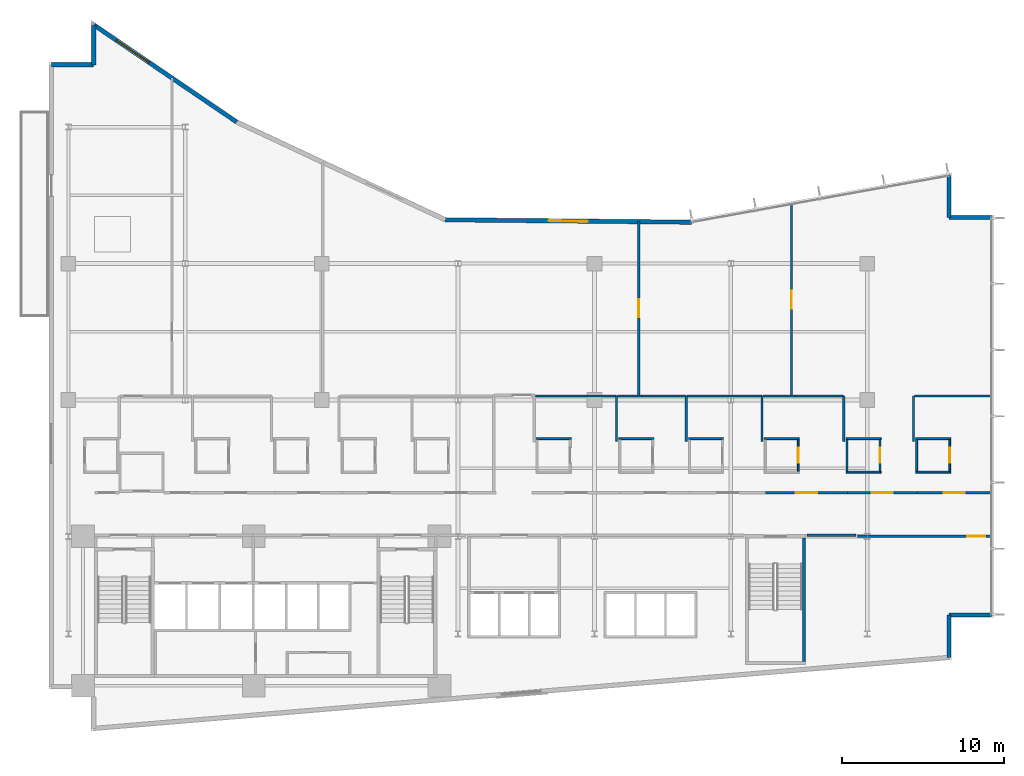
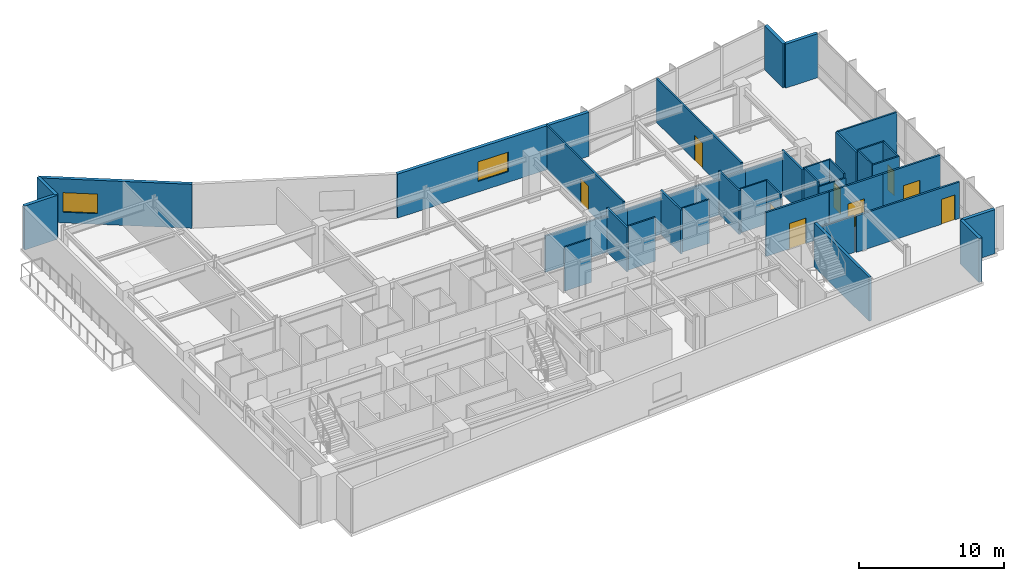
# One storey, part 15 of 21: 41 walls, 9 doors, 2 windows, 11 openings.
"""IFC4 building model written with IfcOpenShell, lengths in metres."""

from ifc_helpers import new_model, si_unit, direction, frame, frame_2d, origin, place, context, subcontext, project, spatial, rectangle, extrude, material, layer, layer_set, type_object, element, fill, save


model = new_model("IFC4")

# Units and contexts
model_context = context("Model", 3, precision=1e-05, world=origin(), true_north=direction((0.0, 1.0)))
body_context = subcontext(model_context, "Body", "Model", "MODEL_VIEW")
ifc_project = project(units=[si_unit("LENGTHUNIT", "METRE"), si_unit("AREAUNIT", "SQUARE_METRE"), si_unit("VOLUMEUNIT", "CUBIC_METRE"), si_unit("PLANEANGLEUNIT", "RADIAN"), si_unit("MASSUNIT", "GRAM", prefix="KILO")], contexts=[model_context])

# Site, building, storey
site_placement = place(None, origin())
site = spatial("IfcSite", under=ifc_project, at=site_placement, CompositionType="ELEMENT")
building_placement = place(site_placement, origin())
building = spatial("IfcBuilding", under=site, at=building_placement, Name="Varnakote Quay Hospital", CompositionType="ELEMENT")
storey_placement = place(building_placement, frame((0.0, 0.0, 42.25)))
storey = spatial("IfcBuildingStorey", under=building, at=storey_placement, Name="L10", CompositionType="ELEMENT", Elevation=42.25)

# Walls
ifc_material_1 = material(Name="Fire-rated acoustic gypsum stud wall", Category="gypsum")
ifc_layer_1 = layer(ifc_material_1, 0.159912109375)
ifc_layer_set_1 = layer_set([ifc_layer_1], Name="Fire-rated acoustic gypsum stud wall")
wall_type_1 = type_object("IfcWallType", Name="WL-COMP-160", PredefinedType="PARTITIONING", material=ifc_layer_set_1)
wall_1_placement = place(storey_placement, frame((46.689208984375, 12.080078125, 0.0), z_axis=(0.0, 0.0, 1.0), x_axis=(1.0, 0.0, 0.0)))
element("IfcWall", 1, at=wall_1_placement, inside=storey, type_object=wall_type_1, Name="L10 Corridor South Gap Wall", PredefinedType="PARTITIONING", context=body_context, shape_type="SweptSolid", body=[
    extrude(rectangle(XDim=3.0107421875, YDim=0.159912109375, at=frame_2d((1.50537109375, 0.0))), origin(), (0.0, 0.0, 1.0), 3.072998046875),
])
ifc_material_2 = material(Name="Moisture-resistant bathroom partition", Category="gypsum")
ifc_layer_2 = layer(ifc_material_2, 0.114990234375)
ifc_layer_set_2 = layer_set([ifc_layer_2], Name="Moisture-resistant bathroom partition")
wall_type_2 = type_object("IfcWallType", Name="WL-ENS-115", PredefinedType="PARTITIONING", material=ifc_layer_set_2)
wall_2_placement = place(storey_placement, frame((30.0048828125, 18.017578125, 0.0), z_axis=(0.0, 0.0, 1.0), x_axis=(1.0, 0.0, 0.0)))
element("IfcWall", 2, at=wall_2_placement, inside=storey, type_object=wall_type_2, Name="L10 Inpatient En-Suite Bathroom 06 N Wall", PredefinedType="PARTITIONING", context=body_context, shape_type="SweptSolid", body=[
    extrude(rectangle(XDim=2.150146484375, YDim=0.114990234375, at=frame_2d((1.0751953125, 0.0))), origin(), (0.0, 0.0, 1.0), 3.7099609375),
])
for number, where, z_axis, x_axis, name in (
    (3, (35.10498046875, 18.017578125, 0.0), (0.0, 0.0, 1.0), (1.0, 0.0, 0.0), "L10 Inpatient En-Suite Bathroom 07 N Wall"),
    (4, (39.39501953125, 18.017578125, 0.0), (0.0, 0.0, 1.0), (1.0, 0.0, 0.0), "L10 Inpatient En-Suite Bathroom 08 N Wall"),
):
    element("IfcWall", number, at=place(storey_placement, frame(where, z_axis=z_axis, x_axis=x_axis)), inside=storey, type_object=wall_type_2, Name=name, PredefinedType="PARTITIONING", context=body_context, shape_type="SweptSolid", body=[
        extrude(rectangle(XDim=2.14990234375, YDim=0.114990234375, at=frame_2d((1.074951171875, 0.0))), origin(), (0.0, 0.0, 1.0), 3.7099609375),
    ])
wall_3_placement = place(storey_placement, frame((44.054931640625, 18.017578125, 0.0), z_axis=(0.0, 0.0, 1.0), x_axis=(1.0, 0.0, 0.0)))
element("IfcWall", 5, at=wall_3_placement, inside=storey, type_object=wall_type_2, Name="L10 Inpatient En-Suite Bathroom 09 N Wall", PredefinedType="PARTITIONING", context=body_context, shape_type="SweptSolid", body=[
    extrude(rectangle(XDim=2.150146484375, YDim=0.114990234375, at=frame_2d((1.0751953125, 0.0))), origin(), (0.0, 0.0, 1.0), 3.7099609375),
])

# Wall, opening, door
wall_4_placement = place(storey_placement, frame((46.1474609375, 16.010009765625, 0.0), z_axis=(0.0, 0.0, 1.0), x_axis=(0.0, 1.0, 0.0)))
wall_4 = element("IfcWall", 6, at=wall_4_placement, inside=storey, type_object=wall_type_2, Name="L10 Inpatient En-Suite Bathroom 09 E Wall", PredefinedType="PARTITIONING", context=body_context, shape_type="SweptSolid", body=[
    extrude(rectangle(XDim=1.949951171875, YDim=0.114990234375, at=frame_2d((0.97509765625, 0.0))), origin(), (0.0, 0.0, 1.0), 3.7099609375),
])
opening_1_placement = place(wall_4_placement, frame((0.514892578125, 0.0, 0.0)))
opening_1 = element("IfcOpeningElement", 7, at=opening_1_placement, cuts=wall_4, Name="Opening D-L10-ENS09", PredefinedType="OPENING", context=body_context, shape_type="SweptSolid", body=[
    extrude(rectangle(XDim=0.919921875, YDim=2.10009765625, at=frame_2d((0.4599609375, 1.050048828125))), frame((0.0, 0.0673828125, 0.0), z_axis=(0.0, -1.0, 0.0), x_axis=(1.0, 0.0, 0.0)), (0.0, 0.0, 1.0), 0.135009765625),
])
ifc_material_3 = material(Name="Moisture-sealed en-suite bathroom door")
door_type_1 = type_object("IfcDoorType", Name="DR-ENS-920x2100", OperationType="NOTDEFINED", PredefinedType="DOOR", material=ifc_material_3)
door_1_placement = place(opening_1_placement, origin())
door_1 = element("IfcDoor", 8, at=door_1_placement, inside=storey, type_object=door_type_1, Name="L10 Inpatient En-Suite Bathroom 09 Door", OperationType="SINGLE_SWING_LEFT", OverallHeight=2.10009765625, OverallWidth=0.919921875, PredefinedType="DOOR", context=body_context, shape_type="SweptSolid", body=[
    extrude(rectangle(XDim=0.919921875, YDim=2.10009765625, at=frame_2d((0.4599609375, 1.050048828125))), frame((0.0, 0.02490234375, 0.0), z_axis=(0.0, -1.0, 0.0), x_axis=(1.0, 0.0, 0.0)), (0.0, 0.0, 1.0), 0.050048828125),
])
fill(opening_1, door_1)

# Walls
wall_5_placement = place(storey_placement, frame((49.094970703125, 15.952392578125, 0.0), z_axis=(0.0, 0.0, 1.0), x_axis=(1.0, 0.0, 0.0)))
element("IfcWall", 9, at=wall_5_placement, inside=storey, type_object=wall_type_2, Name="L10 Inpatient En-Suite Bathroom 10 S Wall", PredefinedType="PARTITIONING", context=body_context, shape_type="SweptSolid", body=[
    extrude(rectangle(XDim=2.150146484375, YDim=0.114990234375, at=frame_2d((1.0751953125, 0.0))), origin(), (0.0, 0.0, 1.0), 3.381103515625),
])
wall_6_placement = place(storey_placement, frame((49.094970703125, 18.017578125, 0.0), z_axis=(0.0, 0.0, 1.0), x_axis=(1.0, 0.0, 0.0)))
element("IfcWall", 10, at=wall_6_placement, inside=storey, type_object=wall_type_2, Name="L10 Inpatient En-Suite Bathroom 10 N Wall", PredefinedType="PARTITIONING", context=body_context, shape_type="SweptSolid", body=[
    extrude(rectangle(XDim=2.150146484375, YDim=0.114990234375, at=frame_2d((1.0751953125, 0.0))), origin(), (0.0, 0.0, 1.0), 3.7099609375),
])
wall_7_placement = place(storey_placement, frame((49.152587890625, 16.010009765625, 0.0), z_axis=(0.0, 0.0, 1.0), x_axis=(0.0, 1.0, 0.0)))
element("IfcWall", 11, at=wall_7_placement, inside=storey, type_object=wall_type_2, Name="L10 Inpatient En-Suite Bathroom 10 W Wall", PredefinedType="PARTITIONING", context=body_context, shape_type="SweptSolid", body=[
    extrude(rectangle(XDim=1.949951171875, YDim=0.114990234375, at=frame_2d((0.97509765625, 0.0))), origin(), (0.0, 0.0, 1.0), 3.7099609375),
])

# Wall, opening, door
wall_8_placement = place(storey_placement, frame((51.1875, 16.010009765625, 0.0), z_axis=(0.0, 0.0, 1.0), x_axis=(0.0, 1.0, 0.0)))
wall_8 = element("IfcWall", 12, at=wall_8_placement, inside=storey, type_object=wall_type_2, Name="L10 Inpatient En-Suite Bathroom 10 E Wall", PredefinedType="PARTITIONING", context=body_context, shape_type="SweptSolid", body=[
    extrude(rectangle(XDim=1.949951171875, YDim=0.114990234375, at=frame_2d((0.97509765625, 0.0))), origin(), (0.0, 0.0, 1.0), 3.7099609375),
])
opening_2_placement = place(wall_8_placement, frame((0.514892578125, 0.0, 0.0)))
opening_2 = element("IfcOpeningElement", 13, at=opening_2_placement, cuts=wall_8, Name="Opening D-L10-ENS10", PredefinedType="OPENING", context=body_context, shape_type="SweptSolid", body=[
    extrude(rectangle(XDim=0.919921875, YDim=2.10009765625, at=frame_2d((0.4599609375, 1.050048828125))), frame((0.0, 0.0673828125, 0.0), z_axis=(0.0, -1.0, 0.0), x_axis=(1.0, 0.0, 0.0)), (0.0, 0.0, 1.0), 0.135009765625),
])
door_2_placement = place(opening_2_placement, origin())
door_2 = element("IfcDoor", 14, at=door_2_placement, inside=storey, type_object=door_type_1, Name="L10 Inpatient En-Suite Bathroom 10 Door", OperationType="SINGLE_SWING_RIGHT", OverallHeight=2.10009765625, OverallWidth=0.919921875, PredefinedType="DOOR", context=body_context, shape_type="SweptSolid", body=[
    extrude(rectangle(XDim=0.919921875, YDim=2.10009765625, at=frame_2d((0.4599609375, 1.050048828125))), frame((0.0, 0.02490234375, 0.0), z_axis=(0.0, -1.0, 0.0), x_axis=(1.0, 0.0, 0.0)), (0.0, 0.0, 1.0), 0.050048828125),
])
fill(opening_2, door_2)

# Walls
for number, where, z_axis, x_axis, name in (
    (15, (53.385009765625, 15.952392578125, 0.0), (0.0, 0.0, 1.0), (1.0, 0.0, 0.0), "L10 Inpatient En-Suite Bathroom 11 S Wall"),
    (16, (53.385009765625, 18.017578125, 0.0), (0.0, 0.0, 1.0), (1.0, 0.0, 0.0), "L10 Inpatient En-Suite Bathroom 11 N Wall"),
):
    element("IfcWall", number, at=place(storey_placement, frame(where, z_axis=z_axis, x_axis=x_axis)), inside=storey, type_object=wall_type_2, Name=name, PredefinedType="PARTITIONING", context=body_context, shape_type="SweptSolid", body=[
        extrude(rectangle(XDim=2.14990234375, YDim=0.114990234375, at=frame_2d((1.074951171875, 0.0))), origin(), (0.0, 0.0, 1.0), 3.7099609375),
    ])
wall_9_placement = place(storey_placement, frame((53.4423828125, 16.010009765625, 0.0), z_axis=(0.0, 0.0, 1.0), x_axis=(0.0, 1.0, 0.0)))
element("IfcWall", 17, at=wall_9_placement, inside=storey, type_object=wall_type_2, Name="L10 Inpatient En-Suite Bathroom 11 W Wall", PredefinedType="PARTITIONING", context=body_context, shape_type="SweptSolid", body=[
    extrude(rectangle(XDim=1.949951171875, YDim=0.114990234375, at=frame_2d((0.97509765625, 0.0))), origin(), (0.0, 0.0, 1.0), 3.7099609375),
])

# Wall, opening, door
wall_10_placement = place(storey_placement, frame((55.4775390625, 16.010009765625, 0.0), z_axis=(0.0, 0.0, 1.0), x_axis=(0.0, 1.0, 0.0)))
wall_10 = element("IfcWall", 18, at=wall_10_placement, inside=storey, type_object=wall_type_2, Name="L10 Inpatient En-Suite Bathroom 11 E Wall", PredefinedType="PARTITIONING", context=body_context, shape_type="SweptSolid", body=[
    extrude(rectangle(XDim=1.949951171875, YDim=0.114990234375, at=frame_2d((0.97509765625, 0.0))), origin(), (0.0, 0.0, 1.0), 3.7099609375),
])
opening_3_placement = place(wall_10_placement, frame((0.514892578125, 0.0, 0.0)))
opening_3 = element("IfcOpeningElement", 19, at=opening_3_placement, cuts=wall_10, Name="Opening D-L10-ENS11", PredefinedType="OPENING", context=body_context, shape_type="SweptSolid", body=[
    extrude(rectangle(XDim=0.919921875, YDim=2.10009765625, at=frame_2d((0.4599609375, 1.050048828125))), frame((0.0, 0.0673828125, 0.0), z_axis=(0.0, -1.0, 0.0), x_axis=(1.0, 0.0, 0.0)), (0.0, 0.0, 1.0), 0.135009765625),
])
door_3_placement = place(opening_3_placement, origin())
door_3 = element("IfcDoor", 20, at=door_3_placement, inside=storey, type_object=door_type_1, Name="L10 Inpatient En-Suite Bathroom 11 Door", OperationType="SINGLE_SWING_LEFT", OverallHeight=2.10009765625, OverallWidth=0.919921875, PredefinedType="DOOR", context=body_context, shape_type="SweptSolid", body=[
    extrude(rectangle(XDim=0.919921875, YDim=2.10009765625, at=frame_2d((0.4599609375, 1.050048828125))), frame((0.0, 0.02490234375, 0.0), z_axis=(0.0, -1.0, 0.0), x_axis=(1.0, 0.0, 0.0)), (0.0, 0.0, 1.0), 0.050048828125),
])
fill(opening_3, door_3)

# Walls
ifc_material_4 = material(Name="Precast concrete N50 (f'c 50 MPa)", Category="concrete")
ifc_layer_3 = layer(ifc_material_4, 0.260009765625)
ifc_layer_set_3 = layer_set([ifc_layer_3], Name="Precast concrete N50 (f'c 50 MPa)")
wall_type_3 = type_object("IfcWallType", Name="WL-EXT-BRICK-260", PredefinedType="STANDARD", material=ifc_layer_set_3)
wall_11_placement = place(storey_placement, frame((55.43994140625, 4.54736328125, 0.0), z_axis=(0.0, 0.0, 1.0), x_axis=(0.0, 1.0, 0.0)))
element("IfcWall", 21, at=wall_11_placement, inside=storey, type_object=wall_type_3, Name="L10 Brick-Faced Precast Exterior Wall", PredefinedType="STANDARD", context=body_context, shape_type="SweptSolid", body=[
    extrude(rectangle(XDim=2.612548828125, YDim=0.260009765625, at=frame_2d((1.30615234375, 0.0))), origin(), (0.0, 0.0, 1.0), 3.7099609375),
])
for number, where, z_axis, x_axis, name in (
    (22, (55.43994140625, 7.159912109375, 0.0), (0.0, 0.0, 1.0), (1.0, 0.0, 0.0), "L10 Brick-Faced Precast Exterior Wall"),
    (23, (58.0400390625, 31.639892578125, 0.0), (0.0, 0.0, 1.0), (-1.0, 0.0, 0.0), "L10 Brick-Faced Precast Exterior Wall"),
):
    element("IfcWall", number, at=place(storey_placement, frame(where, z_axis=z_axis, x_axis=x_axis)), inside=storey, type_object=wall_type_3, Name=name, PredefinedType="STANDARD", context=body_context, shape_type="SweptSolid", body=[
        extrude(rectangle(XDim=2.60009765625, YDim=0.260009765625, at=frame_2d((1.300048828125, 0.0))), origin(), (0.0, 0.0, 1.0), 3.7099609375),
    ])
wall_12_placement = place(storey_placement, frame((55.43994140625, 31.639892578125, 0.0), z_axis=(0.0, 0.0, 1.0), x_axis=(0.0, 1.0, 0.0)))
element("IfcWall", 24, at=wall_12_placement, inside=storey, type_object=wall_type_3, Name="L10 Brick-Faced Precast Exterior Wall", PredefinedType="STANDARD", context=body_context, shape_type="SweptSolid", body=[
    extrude(rectangle(XDim=2.568603515625, YDim=0.260009765625, at=frame_2d((1.2841796875, 0.0))), origin(), (0.0, 0.0, 1.0), 3.7099609375),
])

# Wall, opening, window
wall_13_placement = place(storey_placement, frame((39.589599609375, 31.343994140625, 0.0), z_axis=(0.0, 0.0, 1.0), x_axis=(-0.999952362926, 0.009760731435, 0.0)))
wall_13 = element("IfcWall", 25, at=wall_13_placement, inside=storey, type_object=wall_type_3, Name="L10 Brick-Faced Precast Exterior Wall", PredefinedType="STANDARD", context=body_context, shape_type="SweptSolid", body=[
    extrude(rectangle(XDim=15.1826171875, YDim=0.260009765625, at=frame_2d((7.59130859375, 0.0))), origin(), (0.0, 0.0, 1.0), 3.7099609375),
])
opening_4_placement = place(wall_13_placement, frame((6.391357421875, 0.0, 0.89990234375)))
opening_4 = element("IfcOpeningElement", 26, at=opening_4_placement, cuts=wall_13, Name="Opening WN-0055", PredefinedType="OPENING", context=body_context, shape_type="SweptSolid", body=[
    extrude(rectangle(XDim=2.39990234375, YDim=1.64990234375, at=frame_2d((1.199951171875, 0.824951171875))), frame((0.0, 0.139892578125, 0.0), z_axis=(0.0, -1.0, 0.0), x_axis=(1.0, 0.0, 0.0)), (0.0, 0.0, 1.0), 0.280029296875),
])
ifc_material_5 = material(Name="Double-glazed low-E solar glass", Category="glass")
window_type = type_object("IfcWindowType", Name="WIN-CLIN-2400x1650", PartitioningType="SINGLE_PANEL", PredefinedType="WINDOW", material=ifc_material_5)
window_1_placement = place(opening_4_placement, origin())
window_1 = element("IfcWindow", 27, at=window_1_placement, inside=storey, type_object=window_type, Name="L10 Solar-Control Clinical Window", OverallHeight=1.64990234375, OverallWidth=2.39990234375, PartitioningType="SINGLE_PANEL", PredefinedType="WINDOW", context=body_context, shape_type="SweptSolid", body=[
    extrude(rectangle(XDim=2.39990234375, YDim=1.64990234375, at=frame_2d((1.199951171875, 0.824951171875))), frame((0.0, 0.030029296875, 0.0), z_axis=(0.0, -1.0, 0.0), x_axis=(1.0, 0.0, 0.0)), (0.0, 0.0, 1.0), 0.06005859375),
])
fill(opening_4, window_1)

wall_14_placement = place(storey_placement, frame((11.560546875, 37.5166015625, 0.0), z_axis=(0.0, 0.0, 1.0), x_axis=(-0.827064743936, 0.562106670782, 0.0)))
wall_14 = element("IfcWall", 28, at=wall_14_placement, inside=storey, type_object=wall_type_3, Name="L10 Brick-Faced Precast Exterior Wall", PredefinedType="STANDARD", context=body_context, shape_type="SweptSolid", body=[
    extrude(rectangle(XDim=10.640625, YDim=0.260009765625, at=frame_2d((5.3203125, 0.0))), origin(), (0.0, 0.0, 1.0), 3.7099609375),
])
opening_5_placement = place(wall_14_placement, frame((6.536865234375, 0.0, 0.89990234375)))
opening_5 = element("IfcOpeningElement", 29, at=opening_5_placement, cuts=wall_14, Name="Opening WN-0057", PredefinedType="OPENING", context=body_context, shape_type="SweptSolid", body=[
    extrude(rectangle(XDim=2.39990234375, YDim=1.64990234375, at=frame_2d((1.199951171875, 0.824951171875))), frame((0.0, 0.139892578125, 0.0), z_axis=(0.0, -1.0, 0.0), x_axis=(1.0, 0.0, 0.0)), (0.0, 0.0, 1.0), 0.280029296875),
])
window_2_placement = place(opening_5_placement, origin())
window_2 = element("IfcWindow", 30, at=window_2_placement, inside=storey, type_object=window_type, Name="L10 Solar-Control Clinical Window", OverallHeight=1.64990234375, OverallWidth=2.39990234375, PartitioningType="SINGLE_PANEL", PredefinedType="WINDOW", context=body_context, shape_type="SweptSolid", body=[
    extrude(rectangle(XDim=2.39990234375, YDim=1.64990234375, at=frame_2d((1.199951171875, 0.824951171875))), frame((0.0, 0.030029296875, 0.0), z_axis=(0.0, -1.0, 0.0), x_axis=(1.0, 0.0, 0.0)), (0.0, 0.0, 1.0), 0.06005859375),
])
fill(opening_5, window_2)

# Walls
wall_15_placement = place(storey_placement, frame((2.760009765625, 43.497802734375, 0.0), z_axis=(0.0, 0.0, 1.0), x_axis=(0.0, -1.0, 0.0)))
element("IfcWall", 31, at=wall_15_placement, inside=storey, type_object=wall_type_3, Name="L10 Brick-Faced Precast Exterior Wall", PredefinedType="STANDARD", context=body_context, shape_type="SweptSolid", body=[
    extrude(rectangle(XDim=2.457763671875, YDim=0.260009765625, at=frame_2d((1.22900390625, 0.0))), origin(), (0.0, 0.0, 1.0), 3.7099609375),
])
wall_16_placement = place(storey_placement, frame((2.760009765625, 41.0400390625, 0.0), z_axis=(0.0, 0.0, 1.0), x_axis=(-1.0, 0.0, 0.0)))
element("IfcWall", 32, at=wall_16_placement, inside=storey, type_object=wall_type_3, Name="L10 Brick-Faced Precast Exterior Wall", PredefinedType="STANDARD", context=body_context, shape_type="SweptSolid", body=[
    extrude(rectangle(XDim=2.60009765625, YDim=0.260009765625, at=frame_2d((1.300048828125, 0.0))), origin(), (0.0, 0.0, 1.0), 3.7099609375),
])
ifc_material_6 = material(Name="Concrete N50 (f'c 50 MPa)", Category="concrete")
ifc_layer_4 = layer(ifc_material_6, 0.199951171875)
ifc_layer_set_4 = layer_set([ifc_layer_4], Name="Concrete N50 (f'c 50 MPa)")
wall_type_4 = type_object("IfcWallType", Name="WL-SHAFT-N50-200", PredefinedType="SHEAR", material=ifc_layer_set_4)
wall_17_placement = place(storey_placement, frame((46.5, 4.300048828125, 0.0), z_axis=(0.0, 0.0, 1.0), x_axis=(0.0, 1.0, 0.0)))
element("IfcWall", 33, at=wall_17_placement, inside=storey, type_object=wall_type_4, Name="L10 Stair ST3 East Shaft Wall", PredefinedType="SHEAR", context=body_context, shape_type="SweptSolid", body=[
    extrude(rectangle(XDim=7.599853515625, YDim=0.199951171875, at=frame_2d((3.7998046875, 0.0))), origin(), (0.0, 0.0, 1.0), 3.7099609375),
])
ifc_material_7 = material(Name="Smoke-proof clinical partition", Category="gypsum")
ifc_layer_5 = layer(ifc_material_7, 0.135009765625)
ifc_layer_set_5 = layer_set([ifc_layer_5], Name="Smoke-proof clinical partition")
wall_type_5 = type_object("IfcWallType", Name="WL-SMOKE-135", PredefinedType="PARTITIONING", material=ifc_layer_set_5)
wall_18_placement = place(storey_placement, frame((34.9599609375, 17.83251953125, 0.0), z_axis=(0.0, 0.0, 1.0), x_axis=(0.0, 1.0, 0.0)))
element("IfcWall", 34, at=wall_18_placement, inside=storey, type_object=wall_type_5, Name="L10 Clinical Interior Partition", PredefinedType="PARTITIONING", context=body_context, shape_type="SweptSolid", body=[
    extrude(rectangle(XDim=2.807373046875, YDim=0.135009765625, at=frame_2d((1.40380859375, 0.0))), origin(), (0.0, 0.0, 1.0), 3.7099609375),
])
wall_19_placement = place(storey_placement, frame((34.9599609375, 20.639892578125, 0.0), z_axis=(0.0, 0.0, 1.0), x_axis=(-1.0, 0.0, 0.0)))
element("IfcWall", 35, at=wall_19_placement, inside=storey, type_object=wall_type_5, Name="L10 Clinical Interior Partition", PredefinedType="PARTITIONING", context=body_context, shape_type="SweptSolid", body=[
    extrude(rectangle(XDim=4.994873046875, YDim=0.135009765625, at=frame_2d((2.49755859375, 0.0))), origin(), (0.0, 0.0, 1.0), 3.072998046875),
])
wall_20_placement = place(storey_placement, frame((39.25, 17.83251953125, 0.0), z_axis=(0.0, 0.0, 1.0), x_axis=(0.0, 1.0, 0.0)))
element("IfcWall", 36, at=wall_20_placement, inside=storey, type_object=wall_type_5, Name="L10 Clinical Interior Partition", PredefinedType="PARTITIONING", context=body_context, shape_type="SweptSolid", body=[
    extrude(rectangle(XDim=2.807373046875, YDim=0.135009765625, at=frame_2d((1.40380859375, 0.0))), origin(), (0.0, 0.0, 1.0), 3.7099609375),
])
wall_21_placement = place(storey_placement, frame((36.527587890625, 20.639892578125, 0.0), z_axis=(0.0, 0.0, 1.0), x_axis=(-1.0, 0.0, 0.0)))
element("IfcWall", 37, at=wall_21_placement, inside=storey, type_object=wall_type_5, Name="L10 Clinical Interior Partition", PredefinedType="PARTITIONING", context=body_context, shape_type="SweptSolid", body=[
    extrude(rectangle(XDim=1.510009765625, YDim=0.135009765625, at=frame_2d((0.7548828125, 0.0))), origin(), (0.0, 0.0, 1.0), 3.072998046875),
])
wall_22_placement = place(storey_placement, frame((39.25, 20.639892578125, 0.0), z_axis=(0.0, 0.0, 1.0), x_axis=(-1.0, 0.0, 0.0)))
element("IfcWall", 38, at=wall_22_placement, inside=storey, type_object=wall_type_5, Name="L10 Clinical Interior Partition", PredefinedType="PARTITIONING", context=body_context, shape_type="SweptSolid", body=[
    extrude(rectangle(XDim=2.720458984375, YDim=0.135009765625, at=frame_2d((1.3603515625, 0.0))), origin(), (0.0, 0.0, 1.0), 3.072998046875),
])
wall_23_placement = place(storey_placement, frame((43.909912109375, 17.83251953125, 0.0), z_axis=(0.0, 0.0, 1.0), x_axis=(0.0, 1.0, 0.0)))
element("IfcWall", 39, at=wall_23_placement, inside=storey, type_object=wall_type_5, Name="L10 Clinical Interior Partition", PredefinedType="PARTITIONING", context=body_context, shape_type="SweptSolid", body=[
    extrude(rectangle(XDim=2.807373046875, YDim=0.135009765625, at=frame_2d((1.40380859375, 0.0))), origin(), (0.0, 0.0, 1.0), 3.7099609375),
])
wall_24_placement = place(storey_placement, frame((43.909912109375, 20.639892578125, 0.0), z_axis=(0.0, 0.0, 1.0), x_axis=(-1.0, 0.0, 0.0)))
element("IfcWall", 40, at=wall_24_placement, inside=storey, type_object=wall_type_5, Name="L10 Clinical Interior Partition", PredefinedType="PARTITIONING", context=body_context, shape_type="SweptSolid", body=[
    extrude(rectangle(XDim=4.602294921875, YDim=0.135009765625, at=frame_2d((2.30126953125, 0.0))), origin(), (0.0, 0.0, 1.0), 3.072998046875),
])
wall_25_placement = place(storey_placement, frame((48.949951171875, 17.83251953125, 0.0), z_axis=(0.0, 0.0, 1.0), x_axis=(0.0, 1.0, 0.0)))
element("IfcWall", 41, at=wall_25_placement, inside=storey, type_object=wall_type_5, Name="L10 Clinical Interior Partition", PredefinedType="PARTITIONING", context=body_context, shape_type="SweptSolid", body=[
    extrude(rectangle(XDim=2.807373046875, YDim=0.135009765625, at=frame_2d((1.40380859375, 0.0))), origin(), (0.0, 0.0, 1.0), 3.7099609375),
])
wall_26_placement = place(storey_placement, frame((45.9375, 20.639892578125, 0.0), z_axis=(0.0, 0.0, 1.0), x_axis=(-1.0, 0.0, 0.0)))
element("IfcWall", 42, at=wall_26_placement, inside=storey, type_object=wall_type_5, Name="L10 Clinical Interior Partition", PredefinedType="PARTITIONING", context=body_context, shape_type="SweptSolid", body=[
    extrude(rectangle(XDim=1.969970703125, YDim=0.135009765625, at=frame_2d((0.98486328125, 0.0))), origin(), (0.0, 0.0, 1.0), 3.072998046875),
])
wall_27_placement = place(storey_placement, frame((48.949951171875, 20.639892578125, 0.0), z_axis=(0.0, 0.0, 1.0), x_axis=(-1.0, 0.0, 0.0)))
element("IfcWall", 43, at=wall_27_placement, inside=storey, type_object=wall_type_5, Name="L10 Clinical Interior Partition", PredefinedType="PARTITIONING", context=body_context, shape_type="SweptSolid", body=[
    extrude(rectangle(XDim=3.010498046875, YDim=0.135009765625, at=frame_2d((1.50537109375, 0.0))), origin(), (0.0, 0.0, 1.0), 3.072998046875),
])
wall_28_placement = place(storey_placement, frame((53.239990234375, 17.83251953125, 0.0), z_axis=(0.0, 0.0, 1.0), x_axis=(0.0, 1.0, 0.0)))
element("IfcWall", 44, at=wall_28_placement, inside=storey, type_object=wall_type_5, Name="L10 Clinical Interior Partition", PredefinedType="PARTITIONING", context=body_context, shape_type="SweptSolid", body=[
    extrude(rectangle(XDim=2.807373046875, YDim=0.135009765625, at=frame_2d((1.40380859375, 0.0))), origin(), (0.0, 0.0, 1.0), 3.7099609375),
])
wall_29_placement = place(storey_placement, frame((58.0400390625, 20.639892578125, 0.0), z_axis=(0.0, 0.0, 1.0), x_axis=(-1.0, 0.0, 0.0)))
element("IfcWall", 45, at=wall_29_placement, inside=storey, type_object=wall_type_5, Name="L10 Clinical Interior Partition", PredefinedType="PARTITIONING", context=body_context, shape_type="SweptSolid", body=[
    extrude(rectangle(XDim=4.742431640625, YDim=0.135009765625, at=frame_2d((2.37109375, 0.0))), origin(), (0.0, 0.0, 1.0), 3.7099609375),
])

# Wall, opening, door
wall_30_placement = place(storey_placement, frame((36.320068359375, 20.697509765625, 0.0), z_axis=(0.0, 0.0, 1.0), x_axis=(0.0, 1.0, 0.0)))
wall_30 = element("IfcWall", 46, at=wall_30_placement, inside=storey, type_object=wall_type_5, Name="L10 Clinical Interior Partition", PredefinedType="PARTITIONING", context=body_context, shape_type="SweptSolid", body=[
    extrude(rectangle(XDim=10.67822265625, YDim=0.135009765625, at=frame_2d((5.339111328125, 0.0))), origin(), (0.0, 0.0, 1.0), 3.7099609375),
])
opening_6_placement = place(wall_30_placement, frame((4.789306640625, 0.0, 0.0)))
opening_6 = element("IfcOpeningElement", 47, at=opening_6_placement, cuts=wall_30, Name="Opening D-L10-MD03", PredefinedType="OPENING", context=body_context, shape_type="SweptSolid", body=[
    extrude(rectangle(XDim=1.10009765625, YDim=2.10009765625, at=frame_2d((0.550048828125, 1.050048828125))), frame((0.0, 0.077392578125, 0.0), z_axis=(0.0, -1.0, 0.0), x_axis=(1.0, 0.0, 0.0)), (0.0, 0.0, 1.0), 0.155029296875),
])
ifc_material_8 = material(Name="Acoustic timber clinical consult door", Category="wood")
door_type_2 = type_object("IfcDoorType", Name="DR-CLIN-FD30S-1100x2100", OperationType="NOTDEFINED", PredefinedType="DOOR", material=ifc_material_8)
door_4_placement = place(opening_6_placement, origin())
door_4 = element("IfcDoor", 48, at=door_4_placement, inside=storey, type_object=door_type_2, Name="L10 Acute Sub-Intensive Treatment Suite Door", OperationType="SINGLE_SWING_RIGHT", OverallHeight=2.10009765625, OverallWidth=1.10009765625, PredefinedType="DOOR", context=body_context, shape_type="SweptSolid", body=[
    extrude(rectangle(XDim=1.10009765625, YDim=2.10009765625, at=frame_2d((0.550048828125, 1.050048828125))), frame((0.0, 0.02490234375, 0.0), z_axis=(0.0, -1.0, 0.0), x_axis=(1.0, 0.0, 0.0)), (0.0, 0.0, 1.0), 0.050048828125),
])
fill(opening_6, door_4)

wall_31_placement = place(storey_placement, frame((45.72998046875, 20.697509765625, 0.0), z_axis=(0.0, 0.0, 1.0), x_axis=(0.0, 1.0, 0.0)))
wall_31 = element("IfcWall", 49, at=wall_31_placement, inside=storey, type_object=wall_type_5, Name="L10 Clinical Interior Partition", PredefinedType="PARTITIONING", context=body_context, shape_type="SweptSolid", body=[
    extrude(rectangle(XDim=11.756103515625, YDim=0.135009765625, at=frame_2d((5.8779296875, 0.0))), origin(), (0.0, 0.0, 1.0), 3.7099609375),
])
opening_7_placement = place(wall_31_placement, frame((5.328125, 0.0, 0.0)))
opening_7 = element("IfcOpeningElement", 50, at=opening_7_placement, cuts=wall_31, Name="Opening D-L10-MD04", PredefinedType="OPENING", context=body_context, shape_type="SweptSolid", body=[
    extrude(rectangle(XDim=1.10009765625, YDim=2.10009765625, at=frame_2d((0.550048828125, 1.050048828125))), frame((0.0, 0.077392578125, 0.0), z_axis=(0.0, -1.0, 0.0), x_axis=(1.0, 0.0, 0.0)), (0.0, 0.0, 1.0), 0.155029296875),
])
door_5_placement = place(opening_7_placement, origin())
door_5 = element("IfcDoor", 51, at=door_5_placement, inside=storey, type_object=door_type_2, Name="L10 Multidisciplinary Handover Meeting Room Door", OperationType="SINGLE_SWING_LEFT", OverallHeight=2.10009765625, OverallWidth=1.10009765625, PredefinedType="DOOR", context=body_context, shape_type="SweptSolid", body=[
    extrude(rectangle(XDim=1.10009765625, YDim=2.10009765625, at=frame_2d((0.550048828125, 1.050048828125))), frame((0.0, 0.02490234375, 0.0), z_axis=(0.0, -1.0, 0.0), x_axis=(1.0, 0.0, 0.0)), (0.0, 0.0, 1.0), 0.050048828125),
])
fill(opening_7, door_5)

ifc_material_9 = material(Name="Fire-rated clinical gypsum partition", Category="gypsum")
ifc_layer_6 = layer(ifc_material_9, 0.14990234375)
ifc_layer_set_6 = layer_set([ifc_layer_6], Name="Fire-rated clinical gypsum partition")
wall_type_6 = type_object("IfcWallType", Name="WL-WARD-150", PredefinedType="PARTITIONING", material=ifc_layer_set_6)
wall_32_placement = place(storey_placement, frame((58.0400390625, 12.0, 0.0), z_axis=(0.0, 0.0, 1.0), x_axis=(-1.0, 0.0, 0.0)))
wall_32 = element("IfcWall", 52, at=wall_32_placement, inside=storey, type_object=wall_type_6, Name="L10 Clinical Interior Partition", PredefinedType="PARTITIONING", context=body_context, shape_type="SweptSolid", body=[
    extrude(rectangle(XDim=8.239990234375, YDim=0.14990234375, at=frame_2d((4.1201171875, 0.0))), origin(), (0.0, 0.0, 1.0), 3.072998046875),
])
opening_8_placement = place(wall_32_placement, frame((0.368408203125, 0.0, 0.0)))
opening_8 = element("IfcOpeningElement", 53, at=opening_8_placement, cuts=wall_32, Name="Opening D-L10-SE1", PredefinedType="OPENING", context=body_context, shape_type="SweptSolid", body=[
    extrude(rectangle(XDim=1.10009765625, YDim=2.10009765625, at=frame_2d((0.550048828125, 1.050048828125))), frame((0.0, 0.0849609375, 0.0), z_axis=(0.0, -1.0, 0.0), x_axis=(1.0, 0.0, 0.0)), (0.0, 0.0, 1.0), 0.169921875),
])
door_6_placement = place(opening_8_placement, origin())
door_6 = element("IfcDoor", 54, at=door_6_placement, inside=storey, type_object=door_type_2, Name="L10 Clinical Biomedical Engineering Office Door", OperationType="SINGLE_SWING_RIGHT", OverallHeight=2.10009765625, OverallWidth=1.10009765625, PredefinedType="DOOR", context=body_context, shape_type="SweptSolid", body=[
    extrude(rectangle(XDim=1.10009765625, YDim=2.10009765625, at=frame_2d((0.550048828125, 1.050048828125))), frame((0.0, 0.02490234375, 0.0), z_axis=(0.0, -1.0, 0.0), x_axis=(1.0, 0.0, 0.0)), (0.0, 0.0, 1.0), 0.050048828125),
])
fill(opening_8, door_6)

wall_33_placement = place(storey_placement, frame((49.176025390625, 14.679931640625, 0.0), z_axis=(0.0, 0.0, 1.0), x_axis=(-1.0, 0.0, 0.0)))
wall_33 = element("IfcWall", 55, at=wall_33_placement, inside=storey, type_object=wall_type_6, Name="L10 Clinical Interior Partition", PredefinedType="PARTITIONING", context=body_context, shape_type="SweptSolid", body=[
    extrude(rectangle(XDim=5.0380859375, YDim=0.14990234375, at=frame_2d((2.51904296875, 0.0))), origin(), (0.0, 0.0, 1.0), 3.7099609375),
])
opening_9_placement = place(wall_33_placement, frame((1.868896484375, 0.0, 0.0)))
opening_9 = element("IfcOpeningElement", 56, at=opening_9_placement, cuts=wall_33, Name="Opening D-L10-BR09", PredefinedType="OPENING", context=body_context, shape_type="SweptSolid", body=[
    extrude(rectangle(XDim=1.300048828125, YDim=2.14990234375, at=frame_2d((0.64990234375, 1.074951171875))), frame((0.0, 0.0849609375, 0.0), z_axis=(0.0, -1.0, 0.0), x_axis=(1.0, 0.0, 0.0)), (0.0, 0.0, 1.0), 0.169921875),
])
ifc_material_10 = material(Name="Solid-core timber clinical bed door", Category="wood")
door_type_3 = type_object("IfcDoorType", Name="DR-WARD-FD30S-1300x2150", OperationType="NOTDEFINED", PredefinedType="DOOR", material=ifc_material_10)
door_7_placement = place(opening_9_placement, origin())
door_7 = element("IfcDoor", 57, at=door_7_placement, inside=storey, type_object=door_type_3, Name="L10 Resident Care Bedroom 09 Door", OperationType="SINGLE_SWING_RIGHT", OverallHeight=2.14990234375, OverallWidth=1.300048828125, PredefinedType="DOOR", context=body_context, shape_type="SweptSolid", body=[
    extrude(rectangle(XDim=1.300048828125, YDim=2.14990234375, at=frame_2d((0.64990234375, 1.074951171875))), frame((0.0, 0.02490234375, 0.0), z_axis=(0.0, -1.0, 0.0), x_axis=(1.0, 0.0, 0.0)), (0.0, 0.0, 1.0), 0.050048828125),
])
fill(opening_9, door_7)

wall_34_placement = place(storey_placement, frame((53.466064453125, 14.679931640625, 0.0), z_axis=(0.0, 0.0, 1.0), x_axis=(-1.0, 0.0, 0.0)))
wall_34 = element("IfcWall", 58, at=wall_34_placement, inside=storey, type_object=wall_type_6, Name="L10 Clinical Interior Partition", PredefinedType="PARTITIONING", context=body_context, shape_type="SweptSolid", body=[
    extrude(rectangle(XDim=4.2880859375, YDim=0.14990234375, at=frame_2d((2.14404296875, 0.0))), origin(), (0.0, 0.0, 1.0), 3.7099609375),
])
opening_10_placement = place(wall_34_placement, frame((1.493896484375, 0.0, 0.0)))
opening_10 = element("IfcOpeningElement", 59, at=opening_10_placement, cuts=wall_34, Name="Opening D-L10-BR10", PredefinedType="OPENING", context=body_context, shape_type="SweptSolid", body=[
    extrude(rectangle(XDim=1.300048828125, YDim=2.14990234375, at=frame_2d((0.64990234375, 1.074951171875))), frame((0.0, 0.0849609375, 0.0), z_axis=(0.0, -1.0, 0.0), x_axis=(1.0, 0.0, 0.0)), (0.0, 0.0, 1.0), 0.169921875),
])
door_8_placement = place(opening_10_placement, origin())
door_8 = element("IfcDoor", 60, at=door_8_placement, inside=storey, type_object=door_type_3, Name="L10 Resident Care Bedroom 10 Door", OperationType="SINGLE_SWING_LEFT", OverallHeight=2.14990234375, OverallWidth=1.300048828125, PredefinedType="DOOR", context=body_context, shape_type="SweptSolid", body=[
    extrude(rectangle(XDim=1.300048828125, YDim=2.14990234375, at=frame_2d((0.64990234375, 1.074951171875))), frame((0.0, 0.02490234375, 0.0), z_axis=(0.0, -1.0, 0.0), x_axis=(1.0, 0.0, 0.0)), (0.0, 0.0, 1.0), 0.050048828125),
])
fill(opening_10, door_8)

wall_35_placement = place(storey_placement, frame((58.0400390625, 14.679931640625, 0.0), z_axis=(0.0, 0.0, 1.0), x_axis=(-1.0, 0.0, 0.0)))
wall_35 = element("IfcWall", 61, at=wall_35_placement, inside=storey, type_object=wall_type_6, Name="L10 Clinical Interior Partition", PredefinedType="PARTITIONING", context=body_context, shape_type="SweptSolid", body=[
    extrude(rectangle(XDim=4.572021484375, YDim=0.14990234375, at=frame_2d((2.2861328125, 0.0))), origin(), (0.0, 0.0, 1.0), 3.7099609375),
])
opening_11_placement = place(wall_35_placement, frame((1.635986328125, 0.0, 0.0)))
opening_11 = element("IfcOpeningElement", 62, at=opening_11_placement, cuts=wall_35, Name="Opening D-L10-BR11", PredefinedType="OPENING", context=body_context, shape_type="SweptSolid", body=[
    extrude(rectangle(XDim=1.300048828125, YDim=2.14990234375, at=frame_2d((0.64990234375, 1.074951171875))), frame((0.0, 0.0849609375, 0.0), z_axis=(0.0, -1.0, 0.0), x_axis=(1.0, 0.0, 0.0)), (0.0, 0.0, 1.0), 0.169921875),
])
door_9_placement = place(opening_11_placement, origin())
door_9 = element("IfcDoor", 63, at=door_9_placement, inside=storey, type_object=door_type_3, Name="L10 Resident Care Bedroom 11 Door", OperationType="SINGLE_SWING_RIGHT", OverallHeight=2.14990234375, OverallWidth=1.300048828125, PredefinedType="DOOR", context=body_context, shape_type="SweptSolid", body=[
    extrude(rectangle(XDim=1.300048828125, YDim=2.14990234375, at=frame_2d((0.64990234375, 1.074951171875))), frame((0.0, 0.02490234375, 0.0), z_axis=(0.0, -1.0, 0.0), x_axis=(1.0, 0.0, 0.0)), (0.0, 0.0, 1.0), 0.050048828125),
])
fill(opening_11, door_9)

save(model, "model.ifc")
